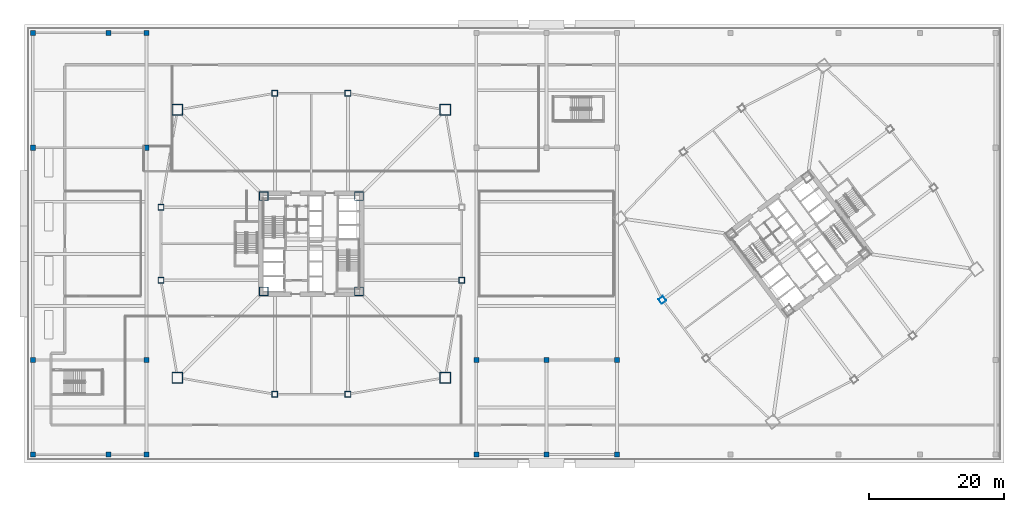
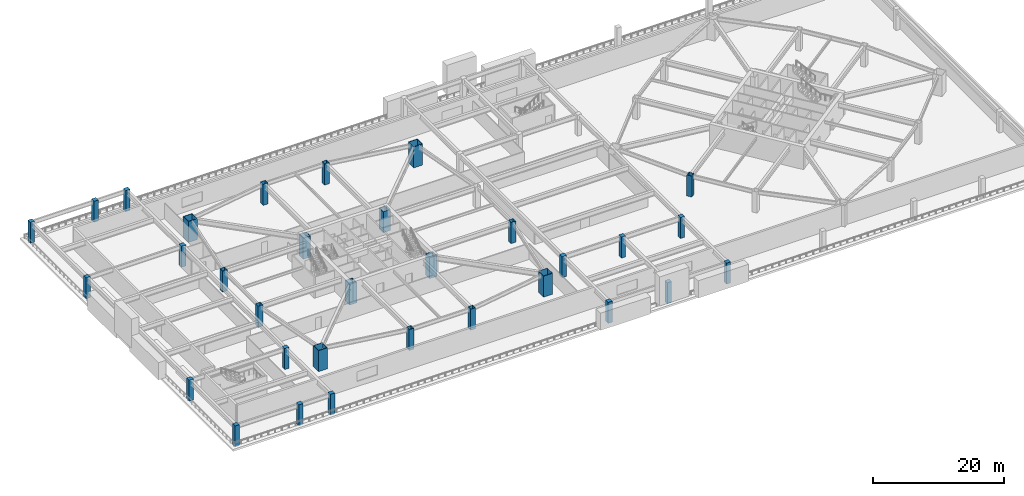
# One storey, part 1 of 20: 32 columns.
"""IFC4 building model written with IfcOpenShell, lengths in metres."""

from ifc_helpers import new_model, si_unit, direction, frame, origin, origin_2d, place, context, subcontext, project, spatial, rectangle, hollow_rectangle, extrude, material, material_profile, profile_set, type_object, element, save


model = new_model("IFC4")

# Units and contexts
model_context = context("Model", 3, precision=1e-05, world=origin(), true_north=direction((0.0, 1.0)))
body_context = subcontext(model_context, "Body", "Model", "MODEL_VIEW")
ifc_project = project(units=[si_unit("LENGTHUNIT", "METRE"), si_unit("AREAUNIT", "SQUARE_METRE"), si_unit("VOLUMEUNIT", "CUBIC_METRE"), si_unit("PLANEANGLEUNIT", "RADIAN"), si_unit("MASSUNIT", "GRAM", prefix="KILO")], contexts=[model_context])

# Site, building, storey
site_placement = place(None, origin())
site = spatial("IfcSite", under=ifc_project, at=site_placement, CompositionType="ELEMENT")
building_placement = place(site_placement, origin())
building = spatial("IfcBuilding", under=site, at=building_placement, Name="Tashvorn Skyway Center", CompositionType="ELEMENT")
storey_placement = place(building_placement, frame((0.0, 0.0, 15.60009765625)))
storey = spatial("IfcBuildingStorey", under=building, at=storey_placement, Name="L03", CompositionType="ELEMENT", Elevation=15.60009765625)

# Columns
ifc_material_1 = material(Name="Steel ASTM A572 Grade 50", Category="steel")
ifc_material_profile_1 = material_profile(ifc_material_1, hollow_rectangle(XDim=1.300048828125, YDim=1.300048828125, WallThickness=0.050048828125, at=origin_2d()), Name="BOX1300x1300x50")
ifc_profile_set_1 = profile_set([ifc_material_profile_1], Name="Steel ASTM A572 Grade 50")
column_type_1 = type_object("IfcColumnType", Name="COL-BOX1300x1300x50", PredefinedType="COLUMN", material=ifc_profile_set_1)
for number, where, z_axis, x_axis, name in (
    (1, (34.949951171875, 24.949951171875, 0.0), (0.0, 0.0, 1.0), (1.0, 0.0, 0.0), "Tower 1 L03 Core Corner Column CC-SW"),
    (2, (49.050048828125, 24.949951171875, 0.0), (0.0, 0.0, 1.0), (1.0, 0.0, 0.0), "Tower 1 L03 Core Corner Column CC-SE"),
    (3, (49.050048828125, 39.050048828125, 0.0), (0.0, 0.0, 1.0), (1.0, 0.0, 0.0), "Tower 1 L03 Core Corner Column CC-NE"),
    (4, (34.949951171875, 39.050048828125, 0.0), (0.0, 0.0, 1.0), (1.0, 0.0, 0.0), "Tower 1 L03 Core Corner Column CC-NW"),
):
    element("IfcColumn", number, at=place(storey_placement, frame(where, z_axis=z_axis, x_axis=x_axis)), inside=storey, type_object=column_type_1, Name=name, PredefinedType="COLUMN", context=body_context, shape_type="SweptSolid", body=[
        extrude(hollow_rectangle(XDim=1.300048828125, YDim=1.300048828125, WallThickness=0.050048828125, at=origin_2d()), origin(), (0.0, 0.0, 1.0), 3.89990234375),
    ])
ifc_material_profile_2 = material_profile(ifc_material_1, hollow_rectangle(XDim=1.60009765625, YDim=1.60009765625, WallThickness=0.06005859375, at=origin_2d()), Name="BOX1600x1600x60")
ifc_profile_set_2 = profile_set([ifc_material_profile_2], Name="Steel ASTM A572 Grade 50")
column_type_2 = type_object("IfcColumnType", Name="COL-BOX1600x1600x60", PredefinedType="COLUMN", material=ifc_profile_set_2)
for number, where, z_axis, x_axis, name in (
    (5, (22.199951171875, 12.199951171875, 0.0), (0.0, 0.0, 1.0), (1.0, 0.0, 0.0), "Tower 1 L03 Mega-Column MC-SW"),
    (6, (61.800048828125, 12.199951171875, 0.0), (0.0, 0.0, 1.0), (1.0, 0.0, 0.0), "Tower 1 L03 Mega-Column MC-SE"),
    (7, (61.800048828125, 51.800048828125, 0.0), (0.0, 0.0, 1.0), (1.0, 0.0, 0.0), "Tower 1 L03 Mega-Column MC-NE"),
    (8, (22.199951171875, 51.800048828125, 0.0), (0.0, 0.0, 1.0), (1.0, 0.0, 0.0), "Tower 1 L03 Mega-Column MC-NW"),
):
    element("IfcColumn", number, at=place(storey_placement, frame(where, z_axis=z_axis, x_axis=x_axis)), inside=storey, type_object=column_type_2, Name=name, PredefinedType="COLUMN", context=body_context, shape_type="SweptSolid", body=[
        extrude(hollow_rectangle(XDim=1.60009765625, YDim=1.60009765625, WallThickness=0.06005859375, at=origin_2d()), origin(), (0.0, 0.0, 1.0), 3.89990234375),
    ])
ifc_material_profile_3 = material_profile(ifc_material_1, hollow_rectangle(XDim=0.85009765625, YDim=0.85009765625, WallThickness=0.034912109375, at=origin_2d()), Name="BOX850x850x35")
ifc_profile_set_3 = profile_set([ifc_material_profile_3], Name="Steel ASTM A572 Grade 50")
column_type_3 = type_object("IfcColumnType", Name="COL-BOX850x850x35", PredefinedType="COLUMN", material=ifc_profile_set_3)
for number, where, z_axis, x_axis, name in (
    (9, (36.60009765625, 9.75, 0.0), (0.0, 0.0, 1.0), (1.0, 0.0, 0.0), "Tower 1 L03 Perimeter Column FC-S1"),
    (10, (47.39990234375, 9.75, 0.0), (0.0, 0.0, 1.0), (1.0, 0.0, 0.0), "Tower 1 L03 Perimeter Column FC-S2"),
    (11, (64.25, 26.60009765625, 0.0), (0.0, 0.0, 1.0), (1.0, 0.0, 0.0), "Tower 1 L03 Perimeter Column FC-E1"),
    (12, (47.39990234375, 54.25, 0.0), (0.0, 0.0, 1.0), (1.0, 0.0, 0.0), "Tower 1 L03 Perimeter Column FC-N1"),
    (13, (36.60009765625, 54.25, 0.0), (0.0, 0.0, 1.0), (1.0, 0.0, 0.0), "Tower 1 L03 Perimeter Column FC-N2"),
    (14, (19.75, 37.39990234375, 0.0), (0.0, 0.0, 1.0), (1.0, 0.0, 0.0), "Tower 1 L03 Perimeter Column FC-W1"),
    (15, (19.75, 26.60009765625, 0.0), (0.0, 0.0, 1.0), (1.0, 0.0, 0.0), "Tower 1 L03 Perimeter Column FC-W2"),
    (16, (93.919921875, 23.68994140625, 0.0), (0.0, 0.0, 1.0), (0.799999996291, 0.600000004945, 0.0), "Tower 2 L03 Perimeter Column FC-W1"),
):
    element("IfcColumn", number, at=place(storey_placement, frame(where, z_axis=z_axis, x_axis=x_axis)), inside=storey, type_object=column_type_3, Name=name, PredefinedType="COLUMN", context=body_context, shape_type="SweptSolid", body=[
        extrude(hollow_rectangle(XDim=0.85009765625, YDim=0.85009765625, WallThickness=0.034912109375, at=origin_2d()), origin(), (0.0, 0.0, 1.0), 3.89990234375),
    ])
ifc_material_2 = material(Name="Concrete C50/60", Category="concrete")
ifc_material_profile_4 = material_profile(ifc_material_2, rectangle(XDim=0.75, YDim=0.75, at=origin_2d()), Name="RC750x750")
ifc_profile_set_4 = profile_set([ifc_material_profile_4], Name="Concrete C50/60")
column_type_4 = type_object("IfcColumnType", Name="COL-RC750x750", PredefinedType="COLUMN", material=ifc_profile_set_4)
for number, where, z_axis, x_axis, name in (
    (17, (0.800048828125, 0.800048828125, 0.0), (0.0, 0.0, 1.0), (1.0, 0.0, 0.0), "L03 Podium Column PC-01-1"),
    (18, (0.800048828125, 63.199951171875, 0.0), (0.0, 0.0, 1.0), (1.0, 0.0, 0.0), "L03 Podium Column PC-01-2"),
    (19, (12.0, 0.800048828125, 0.0), (0.0, 0.0, 1.0), (1.0, 0.0, 0.0), "L03 Podium Column PC-02-1"),
    (20, (12.0, 63.199951171875, 0.0), (0.0, 0.0, 1.0), (1.0, 0.0, 0.0), "L03 Podium Column PC-02-2"),
    (21, (17.60009765625, 0.800048828125, 0.0), (0.0, 0.0, 1.0), (1.0, 0.0, 0.0), "L03 Podium Column PC-03-1"),
    (22, (17.60009765625, 63.199951171875, 0.0), (0.0, 0.0, 1.0), (1.0, 0.0, 0.0), "L03 Podium Column PC-03-2"),
    (23, (66.39990234375, 0.800048828125, 0.0), (0.0, 0.0, 1.0), (1.0, 0.0, 0.0), "L03 Podium Column PC-04-1"),
    (24, (76.800048828125, 0.800048828125, 0.0), (0.0, 0.0, 1.0), (1.0, 0.0, 0.0), "L03 Podium Column PC-05-1"),
    (25, (87.199951171875, 0.800048828125, 0.0), (0.0, 0.0, 1.0), (1.0, 0.0, 0.0), "L03 Podium Column PC-06-1"),
    (26, (0.800048828125, 14.800048828125, 0.0), (0.0, 0.0, 1.0), (1.0, 0.0, 0.0), "L03 Podium Column PIC-01-1"),
    (27, (0.800048828125, 46.199951171875, 0.0), (0.0, 0.0, 1.0), (1.0, 0.0, 0.0), "L03 Podium Column PIC-01-2"),
    (28, (17.60009765625, 14.800048828125, 0.0), (0.0, 0.0, 1.0), (1.0, 0.0, 0.0), "L03 Podium Column PIC-02-1"),
    (29, (17.60009765625, 46.199951171875, 0.0), (0.0, 0.0, 1.0), (1.0, 0.0, 0.0), "L03 Podium Column PIC-02-2"),
    (30, (66.39990234375, 14.800048828125, 0.0), (0.0, 0.0, 1.0), (1.0, 0.0, 0.0), "L03 Podium Column PIC-03-1"),
    (31, (76.800048828125, 14.800048828125, 0.0), (0.0, 0.0, 1.0), (1.0, 0.0, 0.0), "L03 Podium Column PIC-04-1"),
    (32, (87.199951171875, 14.800048828125, 0.0), (0.0, 0.0, 1.0), (1.0, 0.0, 0.0), "L03 Podium Column PIC-05-1"),
):
    element("IfcColumn", number, at=place(storey_placement, frame(where, z_axis=z_axis, x_axis=x_axis)), inside=storey, type_object=column_type_4, Name=name, PredefinedType="COLUMN", context=body_context, shape_type="SweptSolid", body=[
        extrude(rectangle(XDim=0.75, YDim=0.75, at=origin_2d()), origin(), (0.0, 0.0, 1.0), 3.89990234375),
    ])

save(model, "model.ifc")
